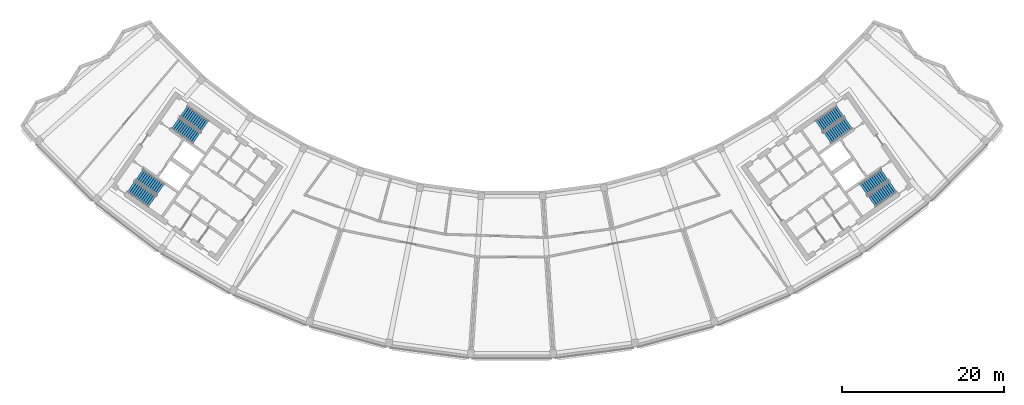
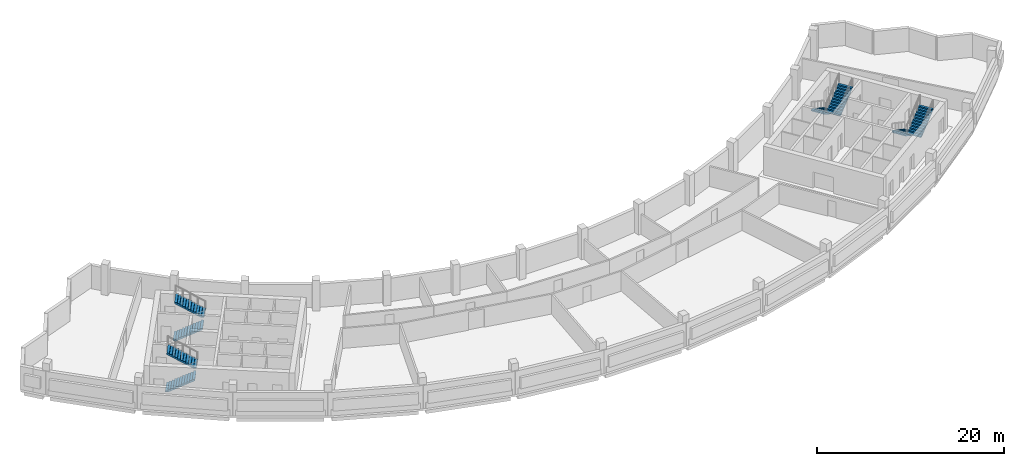
# One storey, part 7 of 11: 8 stair flights, 4 elements without a shape of their own.
"""IFC4 building model written with IfcOpenShell, lengths in metres."""

import ifcopenshell
import ifcopenshell.guid

model = None  # the IFC model being written
_history = None  # IfcOwnerHistory: only IFC2X3 demands one
_inside = {}  # id of a spatial element -> (the spatial element, [elements in it])
_under = {}  # id of a project, library or spatial element -> (it, [spatial elements below it])
_declared = {}  # id of a project -> (the project, [libraries it declares])
_typed = {}  # id of a type object -> (the type object, [elements of that type])
_made_of = {}  # id of a material, layer set ... -> (it, [elements and type objects made of it])


def new_model(schema):
    """Start an empty IFC model of exactly this schema.

    Asked for "IFC4X3", IfcOpenShell would pick the latest addendum, in which some entities
    have other attributes; the version numbers below select the first issue.
    IFC2X3 requires an IfcOwnerHistory on every rooted entity: one is made here for all.
    """
    global model, _history
    if schema == "IFC4X3":
        model = ifcopenshell.file(schema_version=(4, 3, 0, 0))
    else:
        model = ifcopenshell.file(schema=schema)
    _inside.clear()
    _under.clear()
    _declared.clear()
    _typed.clear()
    _made_of.clear()
    _history = None
    if model.schema == "IFC2X3":
        org = make("IfcOrganization", Name="unknown")
        user = make(
            "IfcPersonAndOrganization",
            ThePerson=make("IfcPerson", FamilyName="unknown"),
            TheOrganization=org,
        )
        app = make(
            "IfcApplication",
            ApplicationDeveloper=org,
            Version="unknown",
            ApplicationFullName="unknown",
            ApplicationIdentifier="unknown",
        )
        _history = make(
            "IfcOwnerHistory",
            OwningUser=user,
            OwningApplication=app,
            ChangeAction="ADDED",
            CreationDate=0,
        )
    return model


def make(cls, **values):
    """One entity of the class cls with the attributes given. An attribute that is None is left unset."""
    return model.create_entity(
        cls, **{name: value for name, value in values.items() if value is not None}
    )


def rooted(cls, **values):
    """An entity with a GlobalId (a new one), such as an element, a storey or a relation."""
    return make(cls, GlobalId=ifcopenshell.guid.new(), OwnerHistory=_history, **values)


def si_unit(unit_type, name, prefix=None):
    """IfcSIUnit, for example si_unit("LENGTHUNIT", "METRE", prefix="MILLI")."""
    return make("IfcSIUnit", UnitType=unit_type, Prefix=prefix, Name=name)


def assignment(units):
    """IfcUnitAssignment: the units of a project."""
    return None if units is None else make("IfcUnitAssignment", Units=units)


def point(xyz):
    """IfcCartesianPoint."""
    return None if xyz is None else make("IfcCartesianPoint", Coordinates=xyz)


def direction(xyz):
    """IfcDirection."""
    return None if xyz is None else make("IfcDirection", DirectionRatios=xyz)


def frame(location, z_axis=None, x_axis=None):
    """IfcAxis2Placement3D, a coordinate frame: its origin and axes. An axis left out is left unset."""
    return make(
        "IfcAxis2Placement3D",
        Location=point(location),
        Axis=direction(z_axis),
        RefDirection=direction(x_axis),
    )


def origin():
    """The frame at (0, 0, 0) with its axes left unset."""
    return frame((0.0, 0.0, 0.0))


def place(relative_to, where):
    """IfcLocalPlacement: puts the frame where relative to a parent placement (None: the world)."""
    return make(
        "IfcLocalPlacement", PlacementRelTo=relative_to, RelativePlacement=where
    )


def context(
    kind, dimensions, precision=None, world=None, true_north=None, identifier=None
):
    """IfcGeometricRepresentationContext, for example the 3D "Model" context."""
    return make(
        "IfcGeometricRepresentationContext",
        ContextIdentifier=identifier,
        ContextType=kind,
        CoordinateSpaceDimension=dimensions,
        Precision=precision,
        WorldCoordinateSystem=world,
        TrueNorth=true_north,
    )


def subcontext(parent, identifier, kind, view, scale=None):
    """IfcGeometricRepresentationSubContext, for example "Body" below "Model"."""
    return make(
        "IfcGeometricRepresentationSubContext",
        ContextIdentifier=identifier,
        ContextType=kind,
        ParentContext=parent,
        TargetScale=scale,
        TargetView=view,
    )


def project(units=None, contexts=None):
    """IfcProject with its units and contexts."""
    return rooted(
        "IfcProject",
        Name="project",
        RepresentationContexts=contexts,
        UnitsInContext=assignment(units),
    )


def spatial(cls, under=None, at=None, **own):
    """A site, building, storey or space (cls), placed at a placement, below another one or the project."""
    s = rooted(cls, ObjectPlacement=at, **own)
    if under is not None:
        _under.setdefault(under.id(), (under, []))[1].append(s)
    return s


def polyline(points):
    """IfcPolyline through the points."""
    return make("IfcPolyline", Points=[point(p) for p in points])


def outline(outer, holes=None, kind="AREA"):
    """IfcArbitraryClosedProfileDef: a profile drawn as a closed curve; with holes, ...WithVoids."""
    if holes is None:
        return make("IfcArbitraryClosedProfileDef", ProfileType=kind, OuterCurve=outer)
    return make(
        "IfcArbitraryProfileDefWithVoids",
        ProfileType=kind,
        OuterCurve=outer,
        InnerCurves=holes,
    )


def extrude(swept, where, along, depth):
    """IfcExtrudedAreaSolid: the profile swept, set in the frame where, extruded along a direction by depth."""
    return make(
        "IfcExtrudedAreaSolid",
        SweptArea=swept,
        Position=where,
        ExtrudedDirection=direction(along),
        Depth=depth,
    )


def shape(context_of_items, identifier, shape_type, items):
    """IfcShapeRepresentation: the items that make up one representation, for example the "Body"."""
    return make(
        "IfcShapeRepresentation",
        ContextOfItems=context_of_items,
        RepresentationIdentifier=identifier,
        RepresentationType=shape_type,
        Items=items,
    )


def material(Name=None, Category=None):
    """IfcMaterial."""
    return make("IfcMaterial", Name=Name, Category=Category)


def made_of(thing, what):
    """Note that an element or type object is made of a material, layer set ...; save() writes the relation."""
    if what is not None:
        _made_of.setdefault(what.id(), (what, []))[1].append(thing)
    return thing


def type_object(cls, material=None, **own):
    """A type object (cls), such as IfcWallType, which elements share."""
    return made_of(rooted(cls, **own), material)


def element(
    cls,
    number,
    at=None,
    inside=None,
    cuts=None,
    type_object=None,
    material=None,
    context=None,
    identifier="Body",
    shape_type=None,
    held_by="IfcProductDefinitionShape",
    body=None,
    shapes=None,
    **own,
):
    """One element of the class cls, such as IfcWall. Its Tag is "e" and its number.

    at: its placement. inside: the storey or other place that contains it. cuts: it is an
    opening in that element (IfcRelVoidsElement). A single representation is given by context,
    identifier, shape_type and body (its items); several are given by shapes. held_by: the class
    of the entity that holds the representations. save() writes the other relations.
    """
    e = rooted(cls, Tag="e%d" % number, ObjectPlacement=at, **own)
    if body is not None:
        shapes = [shape(context, identifier, shape_type, body)]
    if shapes is not None:
        e.Representation = make(held_by, Representations=shapes)
    if inside is not None:
        _inside.setdefault(inside.id(), (inside, []))[1].append(e)
    if cuts is not None:
        rooted(
            "IfcRelVoidsElement", RelatingBuildingElement=cuts, RelatedOpeningElement=e
        )
    if type_object is not None:
        _typed.setdefault(type_object.id(), (type_object, []))[1].append(e)
    return made_of(e, material)


def aggregate(whole, parts):
    """IfcRelAggregates: a whole, such as a stair, and the parts it consists of."""
    return rooted("IfcRelAggregates", RelatingObject=whole, RelatedObjects=parts)


def save(model, path):
    """Write the relations noted so far, then the file.

    IfcRelAggregates (storeys below a building ...), IfcRelContainedInSpatialStructure (elements
    in a storey), IfcRelDefinesByType, IfcRelAssociatesMaterial and IfcRelDeclares: one each for
    every whole, place, type object, material and project.
    """
    for whole, parts in _under.values():
        aggregate(whole, parts)
    for where, things in _inside.values():
        rooted(
            "IfcRelContainedInSpatialStructure",
            RelatedElements=things,
            RelatingStructure=where,
        )
    for kind, things in _typed.values():
        rooted("IfcRelDefinesByType", RelatedObjects=things, RelatingType=kind)
    for what, things in _made_of.values():
        rooted("IfcRelAssociatesMaterial", RelatedObjects=things, RelatingMaterial=what)
    for by, libraries in _declared.values():
        rooted("IfcRelDeclares", RelatingContext=by, RelatedDefinitions=libraries)
    model.write(path)


model = new_model("IFC4")

# Units and contexts
model_context = context("Model", 3, precision=1e-05, world=origin(), true_north=direction((0.0, 1.0)))
body_context = subcontext(model_context, "Body", "Model", "MODEL_VIEW")
ifc_project = project(units=[si_unit("LENGTHUNIT", "METRE"), si_unit("AREAUNIT", "SQUARE_METRE"), si_unit("VOLUMEUNIT", "CUBIC_METRE"), si_unit("PLANEANGLEUNIT", "RADIAN"), si_unit("MASSUNIT", "GRAM", prefix="KILO")], contexts=[model_context])

# Site, building, storey
site_placement = place(None, origin())
site = spatial("IfcSite", under=ifc_project, at=site_placement, CompositionType="ELEMENT")
building_placement = place(site_placement, origin())
building = spatial("IfcBuilding", under=site, at=building_placement, Name="Qamariyya Broadcast Tower", CompositionType="ELEMENT")
storey_placement = place(building_placement, frame((0.0, 0.0, 306.699951171875)))
storey = spatial("IfcBuildingStorey", under=building, at=storey_placement, Name="L74", CompositionType="ELEMENT", Elevation=306.699951171875)

# Stair, stair flights
ifc_material = material(Name="Concrete C50/60", Category="concrete")
stair_type = type_object("IfcStairType", Name="Exit stair 24 risers of 167 mm", PredefinedType="HALF_TURN_STAIR", material=ifc_material)
stair_1_placement = place(storey_placement, origin())
stair_1 = element("IfcStair", 1, at=stair_1_placement, inside=storey, type_object=stair_type, Name="L74 Stair W2", PredefinedType="HALF_TURN_STAIR")
stair_flight_type = type_object("IfcStairFlightType", Name="Exit stair flight 12 risers of 167 mm", PredefinedType="STRAIGHT", material=ifc_material)
stair_flight_1_placement = place(storey_placement, frame((-41.59130859375, -49.15966796875, 0.0), z_axis=(0.0, 0.0, 1.0), x_axis=(0.819152044289, -0.573576436351, 0.0)))
stair_flight_1 = element("IfcStairFlight", 2, at=stair_flight_1_placement, type_object=stair_flight_type, Name="ST-W2 flight 1", NumberOfRisers=12, NumberOfTreads=11, PredefinedType="STRAIGHT", RiserHeight=0.166666667, TreadLength=0.29, context=body_context, shape_type="SweptSolid", body=[
    extrude(outline(polyline([(0.0, 0.0), (0.0, 0.166748046875), (0.2900390625, 0.166748046875), (0.2900390625, 0.333251953125), (0.580078125, 0.333251953125), (0.580078125, 0.5), (0.8701171875, 0.5), (0.8701171875, 0.666748046875), (1.159912109375, 0.666748046875), (1.159912109375, 0.833251953125), (1.449951171875, 0.833251953125), (1.449951171875, 1.0), (1.739990234375, 1.0), (1.739990234375, 1.166748046875), (2.030029296875, 1.166748046875), (2.030029296875, 1.333251953125), (2.320068359375, 1.333251953125), (2.320068359375, 1.5), (2.610107421875, 1.5), (2.610107421875, 1.666748046875), (2.89990234375, 1.666748046875), (2.89990234375, 1.833251953125), (3.18994140625, 1.833251953125), (3.18994140625, 2.0), (3.18994140625, 1.660400390625), (0.30078125, 0.0), (0.0, 0.0)])), frame((0.0, 0.824951171875, 0.0), z_axis=(0.0, -1.0, 0.0), x_axis=(1.0, 0.0, 0.0)), (0.0, 0.0, 1.0), 1.64990234375),
])
stair_flight_2_placement = place(storey_placement, frame((-37.945556640625, -49.514892578125, 2.0), z_axis=(0.0, 0.0, 1.0), x_axis=(-0.819152044289, 0.573576436351, 0.0)))
stair_flight_2 = element("IfcStairFlight", 3, at=stair_flight_2_placement, type_object=stair_flight_type, Name="ST-W2 flight 2", NumberOfRisers=12, NumberOfTreads=11, PredefinedType="STRAIGHT", RiserHeight=0.166666667, TreadLength=0.29, context=body_context, shape_type="SweptSolid", body=[
    extrude(outline(polyline([(0.0, 0.0), (0.0, 0.166748046875), (0.2900390625, 0.166748046875), (0.2900390625, 0.333251953125), (0.580078125, 0.333251953125), (0.580078125, 0.5), (0.8701171875, 0.5), (0.8701171875, 0.666748046875), (1.159912109375, 0.666748046875), (1.159912109375, 0.833251953125), (1.449951171875, 0.833251953125), (1.449951171875, 1.0), (1.739990234375, 1.0), (1.739990234375, 1.166748046875), (2.030029296875, 1.166748046875), (2.030029296875, 1.333251953125), (2.320068359375, 1.333251953125), (2.320068359375, 1.5), (2.610107421875, 1.5), (2.610107421875, 1.666748046875), (2.89990234375, 1.666748046875), (2.89990234375, 1.833251953125), (3.18994140625, 1.833251953125), (3.18994140625, 2.0), (3.18994140625, 1.660400390625), (0.30078125, 0.0), (0.0, 0.0)])), frame((0.0, 0.824951171875, 0.0), z_axis=(0.0, -1.0, 0.0), x_axis=(1.0, 0.0, 0.0)), (0.0, 0.0, 1.0), 1.64990234375),
])
aggregate(stair_1, [stair_flight_1, stair_flight_2])

stair_2_placement = place(storey_placement, origin())
stair_2 = element("IfcStair", 4, at=stair_2_placement, inside=storey, type_object=stair_type, Name="L74 Stair W1", PredefinedType="HALF_TURN_STAIR")
stair_flight_3_placement = place(storey_placement, frame((-47.06884765625, -56.982666015625, 0.0), z_axis=(0.0, 0.0, 1.0), x_axis=(0.819152044289, -0.573576436351, 0.0)))
stair_flight_3 = element("IfcStairFlight", 5, at=stair_flight_3_placement, type_object=stair_flight_type, Name="ST-W1 flight 1", NumberOfRisers=12, NumberOfTreads=11, PredefinedType="STRAIGHT", RiserHeight=0.166666667, TreadLength=0.29, context=body_context, shape_type="SweptSolid", body=[
    extrude(outline(polyline([(0.0, 0.0), (0.0, 0.166748046875), (0.2900390625, 0.166748046875), (0.2900390625, 0.333251953125), (0.580078125, 0.333251953125), (0.580078125, 0.5), (0.8701171875, 0.5), (0.8701171875, 0.666748046875), (1.159912109375, 0.666748046875), (1.159912109375, 0.833251953125), (1.449951171875, 0.833251953125), (1.449951171875, 1.0), (1.739990234375, 1.0), (1.739990234375, 1.166748046875), (2.030029296875, 1.166748046875), (2.030029296875, 1.333251953125), (2.320068359375, 1.333251953125), (2.320068359375, 1.5), (2.610107421875, 1.5), (2.610107421875, 1.666748046875), (2.89990234375, 1.666748046875), (2.89990234375, 1.833251953125), (3.18994140625, 1.833251953125), (3.18994140625, 2.0), (3.18994140625, 1.660400390625), (0.30078125, 0.0), (0.0, 0.0)])), frame((0.0, 0.824951171875, 0.0), z_axis=(0.0, -1.0, 0.0), x_axis=(1.0, 0.0, 0.0)), (0.0, 0.0, 1.0), 1.64990234375),
])
stair_flight_4_placement = place(storey_placement, frame((-43.42333984375, -57.337890625, 2.0), z_axis=(0.0, 0.0, 1.0), x_axis=(-0.819152044289, 0.573576436351, 0.0)))
stair_flight_4 = element("IfcStairFlight", 6, at=stair_flight_4_placement, type_object=stair_flight_type, Name="ST-W1 flight 2", NumberOfRisers=12, NumberOfTreads=11, PredefinedType="STRAIGHT", RiserHeight=0.166666667, TreadLength=0.29, context=body_context, shape_type="SweptSolid", body=[
    extrude(outline(polyline([(0.0, 0.0), (0.0, 0.166748046875), (0.2900390625, 0.166748046875), (0.2900390625, 0.333251953125), (0.580078125, 0.333251953125), (0.580078125, 0.5), (0.8701171875, 0.5), (0.8701171875, 0.666748046875), (1.159912109375, 0.666748046875), (1.159912109375, 0.833251953125), (1.449951171875, 0.833251953125), (1.449951171875, 1.0), (1.739990234375, 1.0), (1.739990234375, 1.166748046875), (2.030029296875, 1.166748046875), (2.030029296875, 1.333251953125), (2.320068359375, 1.333251953125), (2.320068359375, 1.5), (2.610107421875, 1.5), (2.610107421875, 1.666748046875), (2.89990234375, 1.666748046875), (2.89990234375, 1.833251953125), (3.18994140625, 1.833251953125), (3.18994140625, 2.0), (3.18994140625, 1.660400390625), (0.30078125, 0.0), (0.0, 0.0)])), frame((0.0, 0.824951171875, 0.0), z_axis=(0.0, -1.0, 0.0), x_axis=(1.0, 0.0, 0.0)), (0.0, 0.0, 1.0), 1.64990234375),
])
aggregate(stair_2, [stair_flight_3, stair_flight_4])

stair_3_placement = place(storey_placement, origin())
stair_3 = element("IfcStair", 7, at=stair_3_placement, inside=storey, type_object=stair_type, Name="L74 Stair E2", PredefinedType="HALF_TURN_STAIR")
stair_flight_5_placement = place(storey_placement, frame((40.558837890625, -47.685302734375, 0.0), z_axis=(0.0, 0.0, 1.0), x_axis=(-0.819152044289, -0.573576436351, 0.0)))
stair_flight_5 = element("IfcStairFlight", 8, at=stair_flight_5_placement, type_object=stair_flight_type, Name="ST-E2 flight 1", NumberOfRisers=12, NumberOfTreads=11, PredefinedType="STRAIGHT", RiserHeight=0.166666667, TreadLength=0.29, context=body_context, shape_type="SweptSolid", body=[
    extrude(outline(polyline([(0.0, 0.0), (0.0, 0.166748046875), (0.2900390625, 0.166748046875), (0.2900390625, 0.333251953125), (0.580078125, 0.333251953125), (0.580078125, 0.5), (0.8701171875, 0.5), (0.8701171875, 0.666748046875), (1.159912109375, 0.666748046875), (1.159912109375, 0.833251953125), (1.449951171875, 0.833251953125), (1.449951171875, 1.0), (1.739990234375, 1.0), (1.739990234375, 1.166748046875), (2.030029296875, 1.166748046875), (2.030029296875, 1.333251953125), (2.320068359375, 1.333251953125), (2.320068359375, 1.5), (2.610107421875, 1.5), (2.610107421875, 1.666748046875), (2.89990234375, 1.666748046875), (2.89990234375, 1.833251953125), (3.18994140625, 1.833251953125), (3.18994140625, 2.0), (3.18994140625, 1.660400390625), (0.30078125, 0.0), (0.0, 0.0)])), frame((0.0, 0.824951171875, 0.0), z_axis=(0.0, -1.0, 0.0), x_axis=(1.0, 0.0, 0.0)), (0.0, 0.0, 1.0), 1.64990234375),
])
stair_flight_6_placement = place(storey_placement, frame((38.97802734375, -50.989501953125, 2.0), z_axis=(0.0, 0.0, 1.0), x_axis=(0.819152044289, 0.573576436351, 0.0)))
stair_flight_6 = element("IfcStairFlight", 9, at=stair_flight_6_placement, type_object=stair_flight_type, Name="ST-E2 flight 2", NumberOfRisers=12, NumberOfTreads=11, PredefinedType="STRAIGHT", RiserHeight=0.166666667, TreadLength=0.29, context=body_context, shape_type="SweptSolid", body=[
    extrude(outline(polyline([(0.0, 0.0), (0.0, 0.166748046875), (0.2900390625, 0.166748046875), (0.2900390625, 0.333251953125), (0.580078125, 0.333251953125), (0.580078125, 0.5), (0.8701171875, 0.5), (0.8701171875, 0.666748046875), (1.159912109375, 0.666748046875), (1.159912109375, 0.833251953125), (1.449951171875, 0.833251953125), (1.449951171875, 1.0), (1.739990234375, 1.0), (1.739990234375, 1.166748046875), (2.030029296875, 1.166748046875), (2.030029296875, 1.333251953125), (2.320068359375, 1.333251953125), (2.320068359375, 1.5), (2.610107421875, 1.5), (2.610107421875, 1.666748046875), (2.89990234375, 1.666748046875), (2.89990234375, 1.833251953125), (3.18994140625, 1.833251953125), (3.18994140625, 2.0), (3.18994140625, 1.660400390625), (0.30078125, 0.0), (0.0, 0.0)])), frame((0.0, 0.824951171875, 0.0), z_axis=(0.0, -1.0, 0.0), x_axis=(1.0, 0.0, 0.0)), (0.0, 0.0, 1.0), 1.64990234375),
])
aggregate(stair_3, [stair_flight_5, stair_flight_6])

stair_4_placement = place(storey_placement, origin())
stair_4 = element("IfcStair", 10, at=stair_4_placement, inside=storey, type_object=stair_type, Name="L74 Stair E1", PredefinedType="HALF_TURN_STAIR")
stair_flight_7_placement = place(storey_placement, frame((46.036376953125, -55.508056640625, 0.0), z_axis=(0.0, 0.0, 1.0), x_axis=(-0.819152044289, -0.573576436351, 0.0)))
stair_flight_7 = element("IfcStairFlight", 11, at=stair_flight_7_placement, type_object=stair_flight_type, Name="ST-E1 flight 1", NumberOfRisers=12, NumberOfTreads=11, PredefinedType="STRAIGHT", RiserHeight=0.166666667, TreadLength=0.29, context=body_context, shape_type="SweptSolid", body=[
    extrude(outline(polyline([(0.0, 0.0), (0.0, 0.166748046875), (0.2900390625, 0.166748046875), (0.2900390625, 0.333251953125), (0.580078125, 0.333251953125), (0.580078125, 0.5), (0.8701171875, 0.5), (0.8701171875, 0.666748046875), (1.159912109375, 0.666748046875), (1.159912109375, 0.833251953125), (1.449951171875, 0.833251953125), (1.449951171875, 1.0), (1.739990234375, 1.0), (1.739990234375, 1.166748046875), (2.030029296875, 1.166748046875), (2.030029296875, 1.333251953125), (2.320068359375, 1.333251953125), (2.320068359375, 1.5), (2.610107421875, 1.5), (2.610107421875, 1.666748046875), (2.89990234375, 1.666748046875), (2.89990234375, 1.833251953125), (3.18994140625, 1.833251953125), (3.18994140625, 2.0), (3.18994140625, 1.660400390625), (0.30078125, 0.0), (0.0, 0.0)])), frame((0.0, 0.824951171875, 0.0), z_axis=(0.0, -1.0, 0.0), x_axis=(1.0, 0.0, 0.0)), (0.0, 0.0, 1.0), 1.64990234375),
])
stair_flight_8_placement = place(storey_placement, frame((44.455810546875, -58.812255859375, 2.0), z_axis=(0.0, 0.0, 1.0), x_axis=(0.819152044289, 0.573576436351, 0.0)))
stair_flight_8 = element("IfcStairFlight", 12, at=stair_flight_8_placement, type_object=stair_flight_type, Name="ST-E1 flight 2", NumberOfRisers=12, NumberOfTreads=11, PredefinedType="STRAIGHT", RiserHeight=0.166666667, TreadLength=0.29, context=body_context, shape_type="SweptSolid", body=[
    extrude(outline(polyline([(0.0, 0.0), (0.0, 0.166748046875), (0.2900390625, 0.166748046875), (0.2900390625, 0.333251953125), (0.580078125, 0.333251953125), (0.580078125, 0.5), (0.8701171875, 0.5), (0.8701171875, 0.666748046875), (1.159912109375, 0.666748046875), (1.159912109375, 0.833251953125), (1.449951171875, 0.833251953125), (1.449951171875, 1.0), (1.739990234375, 1.0), (1.739990234375, 1.166748046875), (2.030029296875, 1.166748046875), (2.030029296875, 1.333251953125), (2.320068359375, 1.333251953125), (2.320068359375, 1.5), (2.610107421875, 1.5), (2.610107421875, 1.666748046875), (2.89990234375, 1.666748046875), (2.89990234375, 1.833251953125), (3.18994140625, 1.833251953125), (3.18994140625, 2.0), (3.18994140625, 1.660400390625), (0.30078125, 0.0), (0.0, 0.0)])), frame((0.0, 0.824951171875, 0.0), z_axis=(0.0, -1.0, 0.0), x_axis=(1.0, 0.0, 0.0)), (0.0, 0.0, 1.0), 1.64990234375),
])
aggregate(stair_4, [stair_flight_7, stair_flight_8])

save(model, "model.ifc")
